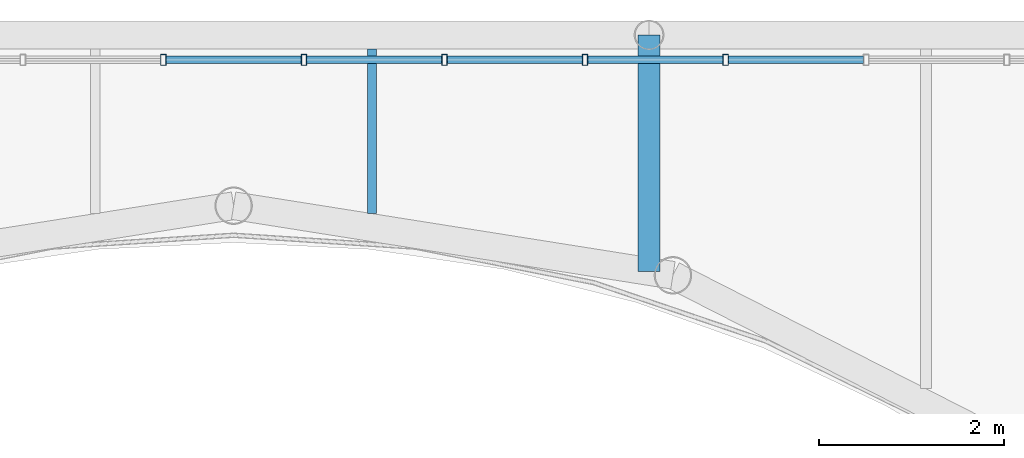
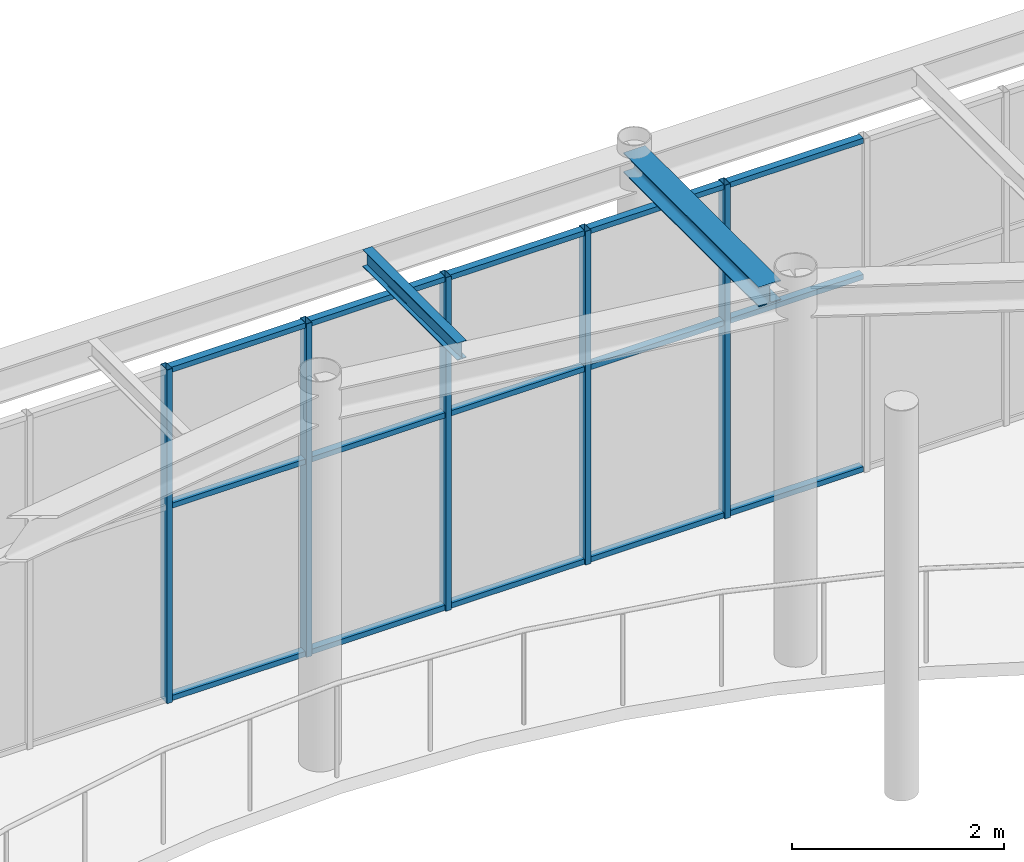
# One storey, part 39 of 70: 20 members, 2 beams, 1 element without a shape of its own.
"""IFC4 building model written with IfcOpenShell, lengths in metres."""

import ifcopenshell
import ifcopenshell.guid

model = None  # the IFC model being written
_history = None  # IfcOwnerHistory: only IFC2X3 demands one
_inside = {}  # id of a spatial element -> (the spatial element, [elements in it])
_under = {}  # id of a project, library or spatial element -> (it, [spatial elements below it])
_declared = {}  # id of a project -> (the project, [libraries it declares])
_typed = {}  # id of a type object -> (the type object, [elements of that type])
_made_of = {}  # id of a material, layer set ... -> (it, [elements and type objects made of it])


def new_model(schema):
    """Start an empty IFC model of exactly this schema.

    Asked for "IFC4X3", IfcOpenShell would pick the latest addendum, in which some entities
    have other attributes; the version numbers below select the first issue.
    IFC2X3 requires an IfcOwnerHistory on every rooted entity: one is made here for all.
    """
    global model, _history
    if schema == "IFC4X3":
        model = ifcopenshell.file(schema_version=(4, 3, 0, 0))
    else:
        model = ifcopenshell.file(schema=schema)
    _inside.clear()
    _under.clear()
    _declared.clear()
    _typed.clear()
    _made_of.clear()
    _history = None
    if model.schema == "IFC2X3":
        org = make("IfcOrganization", Name="unknown")
        user = make(
            "IfcPersonAndOrganization",
            ThePerson=make("IfcPerson", FamilyName="unknown"),
            TheOrganization=org,
        )
        app = make(
            "IfcApplication",
            ApplicationDeveloper=org,
            Version="unknown",
            ApplicationFullName="unknown",
            ApplicationIdentifier="unknown",
        )
        _history = make(
            "IfcOwnerHistory",
            OwningUser=user,
            OwningApplication=app,
            ChangeAction="ADDED",
            CreationDate=0,
        )
    return model


def make(cls, **values):
    """One entity of the class cls with the attributes given. An attribute that is None is left unset."""
    return model.create_entity(
        cls, **{name: value for name, value in values.items() if value is not None}
    )


def rooted(cls, **values):
    """An entity with a GlobalId (a new one), such as an element, a storey or a relation."""
    return make(cls, GlobalId=ifcopenshell.guid.new(), OwnerHistory=_history, **values)


def si_unit(unit_type, name, prefix=None):
    """IfcSIUnit, for example si_unit("LENGTHUNIT", "METRE", prefix="MILLI")."""
    return make("IfcSIUnit", UnitType=unit_type, Prefix=prefix, Name=name)


def assignment(units):
    """IfcUnitAssignment: the units of a project."""
    return None if units is None else make("IfcUnitAssignment", Units=units)


def point(xyz):
    """IfcCartesianPoint."""
    return None if xyz is None else make("IfcCartesianPoint", Coordinates=xyz)


def direction(xyz):
    """IfcDirection."""
    return None if xyz is None else make("IfcDirection", DirectionRatios=xyz)


def frame(location, z_axis=None, x_axis=None):
    """IfcAxis2Placement3D, a coordinate frame: its origin and axes. An axis left out is left unset."""
    return make(
        "IfcAxis2Placement3D",
        Location=point(location),
        Axis=direction(z_axis),
        RefDirection=direction(x_axis),
    )


def frame_2d(location, x_axis=None):
    """IfcAxis2Placement2D, a coordinate frame in the plane: its origin and x axis."""
    return make(
        "IfcAxis2Placement2D", Location=point(location), RefDirection=direction(x_axis)
    )


def origin():
    """The frame at (0, 0, 0) with its axes left unset."""
    return frame((0.0, 0.0, 0.0))


def origin_2d():
    """The frame at (0, 0) in the plane with its x axis left unset."""
    return frame_2d((0.0, 0.0))


def place(relative_to, where):
    """IfcLocalPlacement: puts the frame where relative to a parent placement (None: the world)."""
    return make(
        "IfcLocalPlacement", PlacementRelTo=relative_to, RelativePlacement=where
    )


def context(
    kind, dimensions, precision=None, world=None, true_north=None, identifier=None
):
    """IfcGeometricRepresentationContext, for example the 3D "Model" context."""
    return make(
        "IfcGeometricRepresentationContext",
        ContextIdentifier=identifier,
        ContextType=kind,
        CoordinateSpaceDimension=dimensions,
        Precision=precision,
        WorldCoordinateSystem=world,
        TrueNorth=true_north,
    )


def subcontext(parent, identifier, kind, view, scale=None):
    """IfcGeometricRepresentationSubContext, for example "Body" below "Model"."""
    return make(
        "IfcGeometricRepresentationSubContext",
        ContextIdentifier=identifier,
        ContextType=kind,
        ParentContext=parent,
        TargetScale=scale,
        TargetView=view,
    )


def project(units=None, contexts=None):
    """IfcProject with its units and contexts."""
    return rooted(
        "IfcProject",
        Name="project",
        RepresentationContexts=contexts,
        UnitsInContext=assignment(units),
    )


def spatial(cls, under=None, at=None, **own):
    """A site, building, storey or space (cls), placed at a placement, below another one or the project."""
    s = rooted(cls, ObjectPlacement=at, **own)
    if under is not None:
        _under.setdefault(under.id(), (under, []))[1].append(s)
    return s


def profile(cls, at=None, kind="AREA", **sizes):
    """A parametric profile (cls). Its sizes go by their IFC names, for example OverallWidth=200.0."""
    return make(cls, ProfileType=kind, Position=at, **sizes)


def hollow_rectangle(**sizes):
    """IfcRectangleHollowProfileDef."""
    return profile("IfcRectangleHollowProfileDef", **sizes)


def i_section(**sizes):
    """IfcIShapeProfileDef."""
    return profile("IfcIShapeProfileDef", **sizes)


def extrude(swept, where, along, depth):
    """IfcExtrudedAreaSolid: the profile swept, set in the frame where, extruded along a direction by depth."""
    return make(
        "IfcExtrudedAreaSolid",
        SweptArea=swept,
        Position=where,
        ExtrudedDirection=direction(along),
        Depth=depth,
    )


def shape(context_of_items, identifier, shape_type, items):
    """IfcShapeRepresentation: the items that make up one representation, for example the "Body"."""
    return make(
        "IfcShapeRepresentation",
        ContextOfItems=context_of_items,
        RepresentationIdentifier=identifier,
        RepresentationType=shape_type,
        Items=items,
    )


def material(Name=None, Category=None):
    """IfcMaterial."""
    return make("IfcMaterial", Name=Name, Category=Category)


def layer(
    of_material, thickness, ventilated=None, Name=None, Category=None, Priority=None
):
    """IfcMaterialLayer: one layer of a wall or slab, of a material (None: an air gap)."""
    return make(
        "IfcMaterialLayer",
        Material=of_material,
        LayerThickness=thickness,
        IsVentilated=ventilated,
        Name=Name,
        Category=Category,
        Priority=Priority,
    )


def layer_set(layers, Name=None):
    """IfcMaterialLayerSet."""
    return make("IfcMaterialLayerSet", MaterialLayers=layers, LayerSetName=Name)


def material_profile(
    of_material, cross_section, Name=None, Category=None, Priority=None
):
    """IfcMaterialProfile: a cross section and its material."""
    return make(
        "IfcMaterialProfile",
        Name=Name,
        Material=of_material,
        Profile=cross_section,
        Priority=Priority,
        Category=Category,
    )


def profile_set(profiles, Name=None, composite=None):
    """IfcMaterialProfileSet."""
    return make(
        "IfcMaterialProfileSet",
        Name=Name,
        MaterialProfiles=profiles,
        CompositeProfile=composite,
    )


def made_of(thing, what):
    """Note that an element or type object is made of a material, layer set ...; save() writes the relation."""
    if what is not None:
        _made_of.setdefault(what.id(), (what, []))[1].append(thing)
    return thing


def type_object(cls, material=None, **own):
    """A type object (cls), such as IfcWallType, which elements share."""
    return made_of(rooted(cls, **own), material)


def element(
    cls,
    number,
    at=None,
    inside=None,
    cuts=None,
    type_object=None,
    material=None,
    context=None,
    identifier="Body",
    shape_type=None,
    held_by="IfcProductDefinitionShape",
    body=None,
    shapes=None,
    **own,
):
    """One element of the class cls, such as IfcWall. Its Tag is "e" and its number.

    at: its placement. inside: the storey or other place that contains it. cuts: it is an
    opening in that element (IfcRelVoidsElement). A single representation is given by context,
    identifier, shape_type and body (its items); several are given by shapes. held_by: the class
    of the entity that holds the representations. save() writes the other relations.
    """
    e = rooted(cls, Tag="e%d" % number, ObjectPlacement=at, **own)
    if body is not None:
        shapes = [shape(context, identifier, shape_type, body)]
    if shapes is not None:
        e.Representation = make(held_by, Representations=shapes)
    if inside is not None:
        _inside.setdefault(inside.id(), (inside, []))[1].append(e)
    if cuts is not None:
        rooted(
            "IfcRelVoidsElement", RelatingBuildingElement=cuts, RelatedOpeningElement=e
        )
    if type_object is not None:
        _typed.setdefault(type_object.id(), (type_object, []))[1].append(e)
    return made_of(e, material)


def aggregate(whole, parts):
    """IfcRelAggregates: a whole, such as a stair, and the parts it consists of."""
    return rooted("IfcRelAggregates", RelatingObject=whole, RelatedObjects=parts)


def save(model, path):
    """Write the relations noted so far, then the file.

    IfcRelAggregates (storeys below a building ...), IfcRelContainedInSpatialStructure (elements
    in a storey), IfcRelDefinesByType, IfcRelAssociatesMaterial and IfcRelDeclares: one each for
    every whole, place, type object, material and project.
    """
    for whole, parts in _under.values():
        aggregate(whole, parts)
    for where, things in _inside.values():
        rooted(
            "IfcRelContainedInSpatialStructure",
            RelatedElements=things,
            RelatingStructure=where,
        )
    for kind, things in _typed.values():
        rooted("IfcRelDefinesByType", RelatedObjects=things, RelatingType=kind)
    for what, things in _made_of.values():
        rooted("IfcRelAssociatesMaterial", RelatedObjects=things, RelatingMaterial=what)
    for by, libraries in _declared.values():
        rooted("IfcRelDeclares", RelatingContext=by, RelatedDefinitions=libraries)
    model.write(path)


model = new_model("IFC4")

# Units and contexts
model_context = context("Model", 3, precision=1e-05, world=origin(), true_north=direction((0.0, 1.0)))
body_context = subcontext(model_context, "Body", "Model", "MODEL_VIEW")
ifc_project = project(units=[si_unit("LENGTHUNIT", "METRE"), si_unit("AREAUNIT", "SQUARE_METRE"), si_unit("VOLUMEUNIT", "CUBIC_METRE"), si_unit("PLANEANGLEUNIT", "RADIAN"), si_unit("MASSUNIT", "GRAM", prefix="KILO")], contexts=[model_context])

# Site, building, storey
site_placement = place(None, origin())
site = spatial("IfcSite", under=ifc_project, at=site_placement, CompositionType="ELEMENT")
building_placement = place(site_placement, origin())
building = spatial("IfcBuilding", under=site, at=building_placement, Name="Kallimachos Central Library", CompositionType="ELEMENT")
storey_placement = place(building_placement, frame((0.0, 0.0, 18.89990234375)))
storey = spatial("IfcBuildingStorey", under=building, at=storey_placement, Name="L04", CompositionType="ELEMENT", Elevation=18.89990234375)

# Curtain wall, members
ifc_material_1 = material(Name="Anodised aluminium and laminated glass", Category="aluminium")
ifc_layer = layer(ifc_material_1, 0.159912109375)
ifc_layer_set = layer_set([ifc_layer], Name="Glass box curtain wall")
curtain_wall_type = type_object("IfcCurtainWallType", Name="Glass box curtain wall", PredefinedType="NOTDEFINED", material=ifc_layer_set)
curtain_wall_placement = place(storey_placement, origin())
curtain_wall = element("IfcCurtainWall", 1, at=curtain_wall_placement, inside=storey, type_object=curtain_wall_type, Name="Glass box curtain wall N L04", PredefinedType="NOTDEFINED")
ifc_material_2 = material(Name="Anodised aluminium", Category="aluminium")
ifc_material_profile_1 = material_profile(ifc_material_2, hollow_rectangle(XDim=0.06005859375, YDim=0.1201171875, WallThickness=0.00390625, at=origin_2d()), Name="ALU MULLION 60x120")
ifc_profile_set_1 = profile_set([ifc_material_profile_1], Name="Anodised aluminium")
member_type_1 = type_object("IfcMemberType", Name="Glass box mullion 60x120", PredefinedType="MULLION", material=ifc_profile_set_1)
member_1_placement = place(storey_placement, frame((87.238525390625, 121.3798828125, 0.0), z_axis=(0.0, 0.0, 1.0), x_axis=(1.0, 0.0, 0.0)))
member_1 = element("IfcMember", 2, at=member_1_placement, type_object=member_type_1, Name="CW34 mullion 15", PredefinedType="MULLION", context=body_context, shape_type="SweptSolid", body=[
    extrude(hollow_rectangle(XDim=0.06005859375, YDim=0.1201171875, WallThickness=0.00390625, at=origin_2d()), origin(), (0.0, 0.0, 1.0), 3.85009765625),
])
member_2_placement = place(storey_placement, frame((88.761474609375, 121.3798828125, 0.0), z_axis=(0.0, 0.0, 1.0), x_axis=(1.0, 0.0, 0.0)))
member_2 = element("IfcMember", 3, at=member_2_placement, type_object=member_type_1, Name="CW34 mullion 16", PredefinedType="MULLION", context=body_context, shape_type="SweptSolid", body=[
    extrude(hollow_rectangle(XDim=0.06005859375, YDim=0.1201171875, WallThickness=0.00390625, at=origin_2d()), origin(), (0.0, 0.0, 1.0), 3.85009765625),
])
member_3_placement = place(storey_placement, frame((90.2841796875, 121.3798828125, 0.0), z_axis=(0.0, 0.0, 1.0), x_axis=(1.0, 0.0, 0.0)))
member_3 = element("IfcMember", 4, at=member_3_placement, type_object=member_type_1, Name="CW34 mullion 17", PredefinedType="MULLION", context=body_context, shape_type="SweptSolid", body=[
    extrude(hollow_rectangle(XDim=0.06005859375, YDim=0.1201171875, WallThickness=0.00390625, at=origin_2d()), origin(), (0.0, 0.0, 1.0), 3.85009765625),
])
member_4_placement = place(storey_placement, frame((91.806884765625, 121.3798828125, 0.0), z_axis=(0.0, 0.0, 1.0), x_axis=(1.0, 0.0, 0.0)))
member_4 = element("IfcMember", 5, at=member_4_placement, type_object=member_type_1, Name="CW34 mullion 18", PredefinedType="MULLION", context=body_context, shape_type="SweptSolid", body=[
    extrude(hollow_rectangle(XDim=0.06005859375, YDim=0.1201171875, WallThickness=0.00390625, at=origin_2d()), origin(), (0.0, 0.0, 1.0), 3.85009765625),
])
member_5_placement = place(storey_placement, frame((93.32958984375, 121.3798828125, 0.0), z_axis=(0.0, 0.0, 1.0), x_axis=(1.0, 0.0, 0.0)))
member_5 = element("IfcMember", 6, at=member_5_placement, type_object=member_type_1, Name="CW34 mullion 19", PredefinedType="MULLION", context=body_context, shape_type="SweptSolid", body=[
    extrude(hollow_rectangle(XDim=0.06005859375, YDim=0.1201171875, WallThickness=0.00390625, at=origin_2d()), origin(), (0.0, 0.0, 1.0), 3.85009765625),
])
ifc_material_3 = material(Name="Anodised aluminium", Category="aluminium")
ifc_material_profile_2 = material_profile(ifc_material_3, hollow_rectangle(XDim=0.06005859375, YDim=0.080078125, WallThickness=0.00390625, at=origin_2d()), Name="ALU TRANSOM 60x80")
ifc_profile_set_2 = profile_set([ifc_material_profile_2], Name="Anodised aluminium")
member_type_2 = type_object("IfcMemberType", Name="Glass box transom 60x80", PredefinedType="USERDEFINED", material=ifc_profile_set_2)
member_6_placement = place(storey_placement, frame((87.2685546875, 121.3798828125, 0.030029296875), z_axis=(1.0, 0.0, 0.0), x_axis=(0.0, 0.0, 1.0)))
member_6 = element("IfcMember", 7, at=member_6_placement, type_object=member_type_2, Name="CW34 transom 15.1", ObjectType="TRANSOM", PredefinedType="USERDEFINED", context=body_context, shape_type="SweptSolid", body=[
    extrude(hollow_rectangle(XDim=0.06005859375, YDim=0.080078125, WallThickness=0.00390625, at=origin_2d()), origin(), (0.0, 0.0, 1.0), 1.462890625),
])
member_7_placement = place(storey_placement, frame((87.2685546875, 121.3798828125, 2.25), z_axis=(1.0, 0.0, 0.0), x_axis=(0.0, 0.0, 1.0)))
member_7 = element("IfcMember", 8, at=member_7_placement, type_object=member_type_2, Name="CW34 transom 15.2", ObjectType="TRANSOM", PredefinedType="USERDEFINED", context=body_context, shape_type="SweptSolid", body=[
    extrude(hollow_rectangle(XDim=0.06005859375, YDim=0.080078125, WallThickness=0.00390625, at=origin_2d()), origin(), (0.0, 0.0, 1.0), 1.462890625),
])
member_8_placement = place(storey_placement, frame((87.2685546875, 121.3798828125, 3.820068359375), z_axis=(1.0, 0.0, 0.0), x_axis=(0.0, 0.0, 1.0)))
member_8 = element("IfcMember", 9, at=member_8_placement, type_object=member_type_2, Name="CW34 transom 15.3", ObjectType="TRANSOM", PredefinedType="USERDEFINED", context=body_context, shape_type="SweptSolid", body=[
    extrude(hollow_rectangle(XDim=0.06005859375, YDim=0.080078125, WallThickness=0.00390625, at=origin_2d()), origin(), (0.0, 0.0, 1.0), 1.462890625),
])
member_9_placement = place(storey_placement, frame((88.791259765625, 121.3798828125, 0.030029296875), z_axis=(1.0, 0.0, 0.0), x_axis=(0.0, 0.0, 1.0)))
member_9 = element("IfcMember", 10, at=member_9_placement, type_object=member_type_2, Name="CW34 transom 16.1", ObjectType="TRANSOM", PredefinedType="USERDEFINED", context=body_context, shape_type="SweptSolid", body=[
    extrude(hollow_rectangle(XDim=0.06005859375, YDim=0.080078125, WallThickness=0.00390625, at=origin_2d()), origin(), (0.0, 0.0, 1.0), 1.462890625),
])
member_10_placement = place(storey_placement, frame((88.791259765625, 121.3798828125, 2.25), z_axis=(1.0, 0.0, 0.0), x_axis=(0.0, 0.0, 1.0)))
member_10 = element("IfcMember", 11, at=member_10_placement, type_object=member_type_2, Name="CW34 transom 16.2", ObjectType="TRANSOM", PredefinedType="USERDEFINED", context=body_context, shape_type="SweptSolid", body=[
    extrude(hollow_rectangle(XDim=0.06005859375, YDim=0.080078125, WallThickness=0.00390625, at=origin_2d()), origin(), (0.0, 0.0, 1.0), 1.462890625),
])
member_11_placement = place(storey_placement, frame((88.791259765625, 121.3798828125, 3.820068359375), z_axis=(1.0, 0.0, 0.0), x_axis=(0.0, 0.0, 1.0)))
member_11 = element("IfcMember", 12, at=member_11_placement, type_object=member_type_2, Name="CW34 transom 16.3", ObjectType="TRANSOM", PredefinedType="USERDEFINED", context=body_context, shape_type="SweptSolid", body=[
    extrude(hollow_rectangle(XDim=0.06005859375, YDim=0.080078125, WallThickness=0.00390625, at=origin_2d()), origin(), (0.0, 0.0, 1.0), 1.462890625),
])
member_12_placement = place(storey_placement, frame((90.314208984375, 121.3798828125, 0.030029296875), z_axis=(1.0, 0.0, 0.0), x_axis=(0.0, 0.0, 1.0)))
member_12 = element("IfcMember", 13, at=member_12_placement, type_object=member_type_2, Name="CW34 transom 17.1", ObjectType="TRANSOM", PredefinedType="USERDEFINED", context=body_context, shape_type="SweptSolid", body=[
    extrude(hollow_rectangle(XDim=0.06005859375, YDim=0.080078125, WallThickness=0.00390625, at=origin_2d()), origin(), (0.0, 0.0, 1.0), 1.462646484375),
])
member_13_placement = place(storey_placement, frame((90.314208984375, 121.3798828125, 2.25), z_axis=(1.0, 0.0, 0.0), x_axis=(0.0, 0.0, 1.0)))
member_13 = element("IfcMember", 14, at=member_13_placement, type_object=member_type_2, Name="CW34 transom 17.2", ObjectType="TRANSOM", PredefinedType="USERDEFINED", context=body_context, shape_type="SweptSolid", body=[
    extrude(hollow_rectangle(XDim=0.06005859375, YDim=0.080078125, WallThickness=0.00390625, at=origin_2d()), origin(), (0.0, 0.0, 1.0), 1.462646484375),
])
member_14_placement = place(storey_placement, frame((90.314208984375, 121.3798828125, 3.820068359375), z_axis=(1.0, 0.0, 0.0), x_axis=(0.0, 0.0, 1.0)))
member_14 = element("IfcMember", 15, at=member_14_placement, type_object=member_type_2, Name="CW34 transom 17.3", ObjectType="TRANSOM", PredefinedType="USERDEFINED", context=body_context, shape_type="SweptSolid", body=[
    extrude(hollow_rectangle(XDim=0.06005859375, YDim=0.080078125, WallThickness=0.00390625, at=origin_2d()), origin(), (0.0, 0.0, 1.0), 1.462646484375),
])
member_15_placement = place(storey_placement, frame((91.8369140625, 121.3798828125, 0.030029296875), z_axis=(1.0, 0.0, 0.0), x_axis=(0.0, 0.0, 1.0)))
member_15 = element("IfcMember", 16, at=member_15_placement, type_object=member_type_2, Name="CW34 transom 18.1", ObjectType="TRANSOM", PredefinedType="USERDEFINED", context=body_context, shape_type="SweptSolid", body=[
    extrude(hollow_rectangle(XDim=0.06005859375, YDim=0.080078125, WallThickness=0.00390625, at=origin_2d()), origin(), (0.0, 0.0, 1.0), 1.462646484375),
])
member_16_placement = place(storey_placement, frame((91.8369140625, 121.3798828125, 2.25), z_axis=(1.0, 0.0, 0.0), x_axis=(0.0, 0.0, 1.0)))
member_16 = element("IfcMember", 17, at=member_16_placement, type_object=member_type_2, Name="CW34 transom 18.2", ObjectType="TRANSOM", PredefinedType="USERDEFINED", context=body_context, shape_type="SweptSolid", body=[
    extrude(hollow_rectangle(XDim=0.06005859375, YDim=0.080078125, WallThickness=0.00390625, at=origin_2d()), origin(), (0.0, 0.0, 1.0), 1.462646484375),
])
member_17_placement = place(storey_placement, frame((91.8369140625, 121.3798828125, 3.820068359375), z_axis=(1.0, 0.0, 0.0), x_axis=(0.0, 0.0, 1.0)))
member_17 = element("IfcMember", 18, at=member_17_placement, type_object=member_type_2, Name="CW34 transom 18.3", ObjectType="TRANSOM", PredefinedType="USERDEFINED", context=body_context, shape_type="SweptSolid", body=[
    extrude(hollow_rectangle(XDim=0.06005859375, YDim=0.080078125, WallThickness=0.00390625, at=origin_2d()), origin(), (0.0, 0.0, 1.0), 1.462646484375),
])
member_18_placement = place(storey_placement, frame((93.359619140625, 121.3798828125, 0.030029296875), z_axis=(1.0, 0.0, 0.0), x_axis=(0.0, 0.0, 1.0)))
member_18 = element("IfcMember", 19, at=member_18_placement, type_object=member_type_2, Name="CW34 transom 19.1", ObjectType="TRANSOM", PredefinedType="USERDEFINED", context=body_context, shape_type="SweptSolid", body=[
    extrude(hollow_rectangle(XDim=0.06005859375, YDim=0.080078125, WallThickness=0.00390625, at=origin_2d()), origin(), (0.0, 0.0, 1.0), 1.462890625),
])
member_19_placement = place(storey_placement, frame((93.359619140625, 121.3798828125, 2.25), z_axis=(1.0, 0.0, 0.0), x_axis=(0.0, 0.0, 1.0)))
member_19 = element("IfcMember", 20, at=member_19_placement, type_object=member_type_2, Name="CW34 transom 19.2", ObjectType="TRANSOM", PredefinedType="USERDEFINED", context=body_context, shape_type="SweptSolid", body=[
    extrude(hollow_rectangle(XDim=0.06005859375, YDim=0.080078125, WallThickness=0.00390625, at=origin_2d()), origin(), (0.0, 0.0, 1.0), 1.462890625),
])
member_20_placement = place(storey_placement, frame((93.359619140625, 121.3798828125, 3.820068359375), z_axis=(1.0, 0.0, 0.0), x_axis=(0.0, 0.0, 1.0)))
member_20 = element("IfcMember", 21, at=member_20_placement, type_object=member_type_2, Name="CW34 transom 19.3", ObjectType="TRANSOM", PredefinedType="USERDEFINED", context=body_context, shape_type="SweptSolid", body=[
    extrude(hollow_rectangle(XDim=0.06005859375, YDim=0.080078125, WallThickness=0.00390625, at=origin_2d()), origin(), (0.0, 0.0, 1.0), 1.462890625),
])
aggregate(curtain_wall, [member_1, member_2, member_3, member_4, member_5, member_6, member_7, member_8, member_9, member_10, member_11, member_12, member_13, member_14, member_15, member_16, member_17, member_18, member_19, member_20])

# Beams
ifc_material_4 = material(Name="Steel S355J2", Category="steel")
ifc_material_profile_3 = material_profile(ifc_material_4, i_section(OverallWidth=0.239990234375, OverallDepth=0.22998046875, WebThickness=0.007568359375, FlangeThickness=0.011962890625, FilletRadius=0.02099609375, at=origin_2d()), Name="HEA 240")
ifc_profile_set_3 = profile_set([ifc_material_profile_3], Name="Steel S355J2")
beam_type_1 = type_object("IfcBeamType", Name="HEA 240 beam", PredefinedType="BEAM", material=ifc_profile_set_3)
beam_1_placement = place(storey_placement, frame((92.5, 119.08740234375, 4.235107421875), z_axis=(0.0, 1.0, 0.0), x_axis=(-1.0, 0.0, 0.0)))
element("IfcBeam", 22, at=beam_1_placement, inside=storey, type_object=beam_type_1, Name="V1-BEM-L04-031", PredefinedType="BEAM", context=body_context, shape_type="SweptSolid", body=[
    extrude(i_section(OverallWidth=0.239990234375, OverallDepth=0.22998046875, WebThickness=0.007568359375, FlangeThickness=0.011962890625, FilletRadius=0.02099609375, at=origin_2d()), origin(), (0.0, 0.0, 1.0), 2.5625),
])
ifc_material_5 = material(Name="Steel S355J2", Category="steel")
ifc_material_profile_4 = material_profile(ifc_material_5, i_section(OverallWidth=0.10009765625, OverallDepth=0.199951171875, WebThickness=0.005615234375, FlangeThickness=0.008544921875, FilletRadius=0.011962890625, at=origin_2d()), Name="IPE 200")
ifc_profile_set_4 = profile_set([ifc_material_profile_4], Name="Steel S355J2")
beam_type_2 = type_object("IfcBeamType", Name="IPE 200 beam", PredefinedType="BEAM", material=ifc_profile_set_4)
beam_2_placement = place(storey_placement, frame((89.5, 119.71435546875, 4.25), z_axis=(0.0, 1.0, 0.0), x_axis=(-1.0, 0.0, 0.0)))
element("IfcBeam", 23, at=beam_2_placement, inside=storey, type_object=beam_type_2, Name="V1-BEM-L04-060", PredefinedType="BEAM", context=body_context, shape_type="SweptSolid", body=[
    extrude(i_section(OverallWidth=0.10009765625, OverallDepth=0.199951171875, WebThickness=0.005615234375, FlangeThickness=0.008544921875, FilletRadius=0.011962890625, at=origin_2d()), origin(), (0.0, 0.0, 1.0), 1.78564453125),
])

save(model, "model.ifc")
